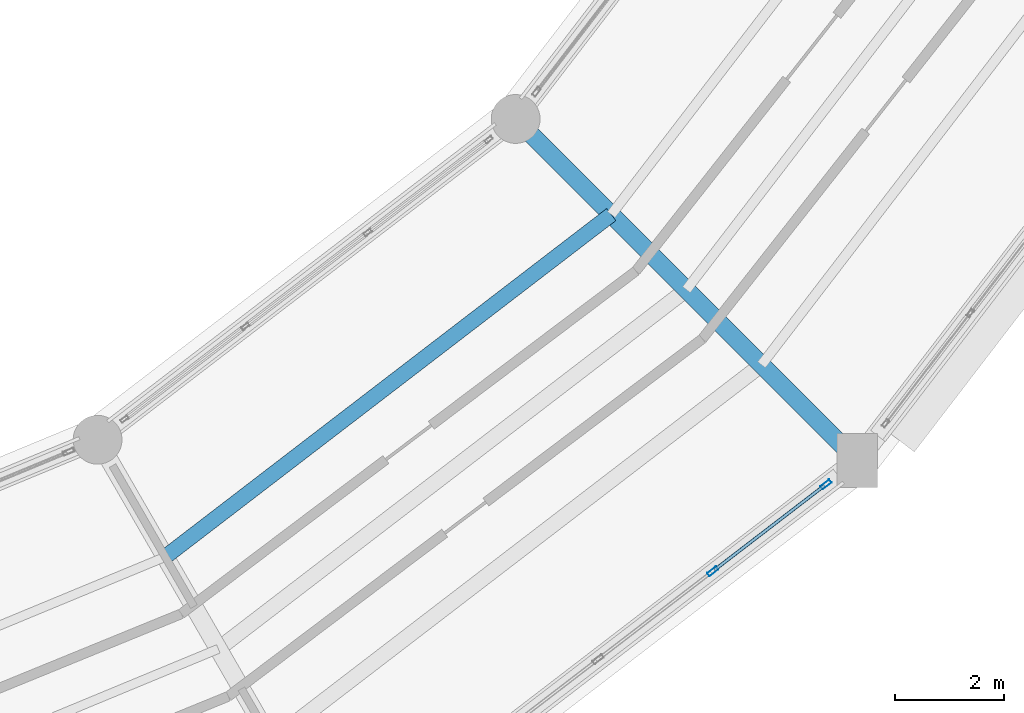
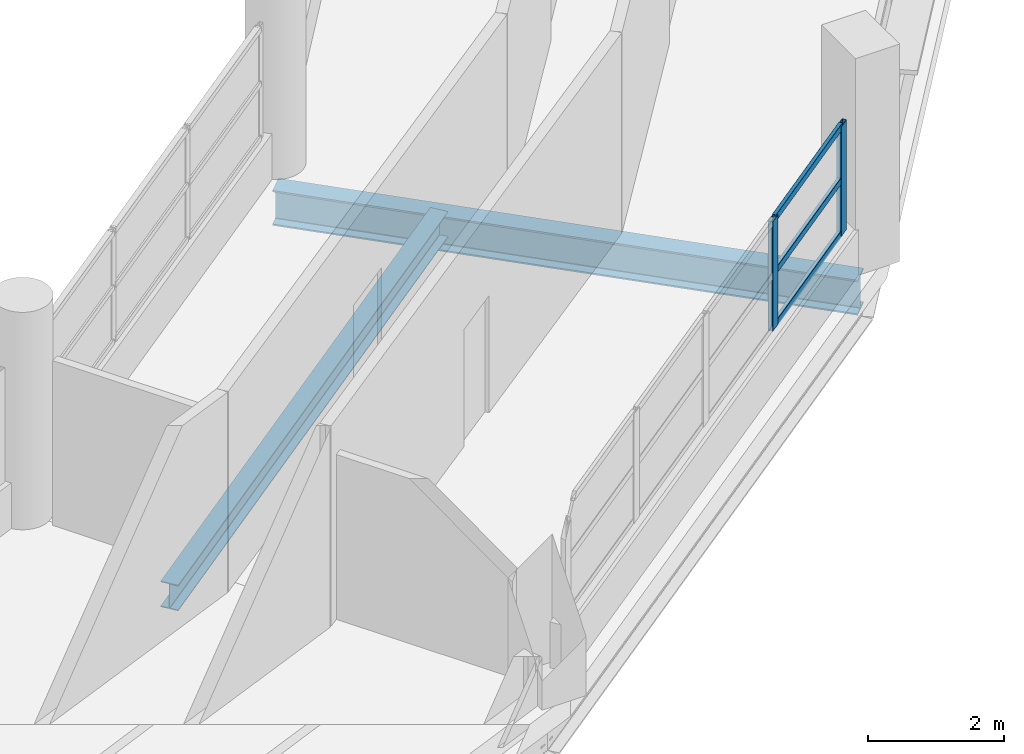
# One storey, part 46 of 108: 5 members, 2 beams, 1 element without a shape of its own.
"""IFC4 building model written with IfcOpenShell, lengths in metres."""

from ifc_helpers import new_model, si_unit, direction, frame, origin, origin_2d, place, context, subcontext, project, spatial, hollow_rectangle, i_section, extrude, material, layer, layer_set, material_profile, profile_set, type_object, element, aggregate, save


model = new_model("IFC4")

# Units and contexts
model_context = context("Model", 3, precision=1e-05, world=origin(), true_north=direction((0.0, 1.0)))
body_context = subcontext(model_context, "Body", "Model", "MODEL_VIEW")
ifc_project = project(units=[si_unit("LENGTHUNIT", "METRE"), si_unit("AREAUNIT", "SQUARE_METRE"), si_unit("VOLUMEUNIT", "CUBIC_METRE"), si_unit("PLANEANGLEUNIT", "RADIAN"), si_unit("MASSUNIT", "GRAM", prefix="KILO")], contexts=[model_context])

# Site, building, storey
site_placement = place(None, origin())
site = spatial("IfcSite", under=ifc_project, at=site_placement, CompositionType="ELEMENT")
building_placement = place(site_placement, origin())
building = spatial("IfcBuilding", under=site, at=building_placement, Name="Vespera Passage Community Centre", CompositionType="ELEMENT")
storey_placement = place(building_placement, frame((0.0, 0.0, 12.60009765625)))
storey = spatial("IfcBuildingStorey", under=building, at=storey_placement, Name="L03", CompositionType="ELEMENT", Elevation=12.60009765625)

# Beams
ifc_material_1 = material(Name="Steel ASTM A992 Grade 50", Category="steel")
ifc_material_profile_1 = material_profile(ifc_material_1, i_section(OverallWidth=0.32763671875, OverallDepth=0.62841796875, WebThickness=0.0166015625, FlangeThickness=0.027587890625, FilletRadius=0.0126953125, at=origin_2d()), Name="W24X146")
ifc_profile_set_1 = profile_set([ifc_material_profile_1], Name="Steel ASTM A992 Grade 50")
beam_type_1 = type_object("IfcBeamType", Name="BM-G-W24X146", PredefinedType="BEAM", material=ifc_profile_set_1)
beam_1_placement = place(storey_placement, frame((104.304443359375, 39.195556640625, -0.71435546875), z_axis=(0.707106781187, -0.707106781187, 0.0), x_axis=(0.707106781187, 0.707106781187, 0.0)))
element("IfcBeam", 1, at=beam_1_placement, inside=storey, type_object=beam_type_1, Name="V4 L03 Radial Girder 21", PredefinedType="BEAM", context=body_context, shape_type="SweptSolid", body=[
    extrude(i_section(OverallWidth=0.32763671875, OverallDepth=0.62841796875, WebThickness=0.0166015625, FlangeThickness=0.027587890625, FilletRadius=0.0126953125, at=origin_2d()), origin(), (0.0, 0.0, 1.0), 8.89990234375),
])
ifc_material_2 = material(Name="Steel ASTM A992 Grade 50", Category="steel")
ifc_material_profile_2 = material_profile(ifc_material_2, i_section(OverallWidth=0.280517578125, OverallDepth=0.46240234375, WebThickness=0.0107421875, FlangeThickness=0.017333984375, FilletRadius=0.01025390625, at=origin_2d()), Name="W18X76")
ifc_profile_set_2 = profile_set([ifc_material_profile_2], Name="Steel ASTM A992 Grade 50")
beam_type_2 = type_object("IfcBeamType", Name="BM-J-W18X76", PredefinedType="JOIST", material=ifc_profile_set_2)
beam_2_placement = place(storey_placement, frame((97.845947265625, 31.125732421875, -0.63134765625), z_axis=(0.793349551049, 0.608766367214, 0.0), x_axis=(-0.608766367214, 0.793349551049, 0.0)))
element("IfcBeam", 2, at=beam_2_placement, inside=storey, type_object=beam_type_2, Name="V4 L03 Floor Joist 20.1", PredefinedType="JOIST", context=body_context, shape_type="SweptSolid", body=[
    extrude(i_section(OverallWidth=0.280517578125, OverallDepth=0.46240234375, WebThickness=0.0107421875, FlangeThickness=0.017333984375, FilletRadius=0.01025390625, at=origin_2d()), origin(), (0.0, 0.0, 1.0), 10.36181640625),
])

# Curtain wall, members
ifc_material_3 = material(Name="Anodized aluminium 6063-T6", Category="aluminium")
ifc_layer = layer(ifc_material_3, 0.159912109375)
ifc_layer_set = layer_set([ifc_layer], Name="Anodized aluminium 6063-T6")
curtain_wall_type = type_object("IfcCurtainWallType", Name="CW-51E", PredefinedType="NOTDEFINED", material=ifc_layer_set)
curtain_wall_placement = place(storey_placement, origin())
curtain_wall = element("IfcCurtainWall", 3, at=curtain_wall_placement, inside=storey, type_object=curtain_wall_type, Name="V4 L03 Outer Ribbon Curtain Wall 20", PredefinedType="NOTDEFINED")
ifc_material_4 = material(Name="Anodized aluminium 6063-T6", Category="aluminium")
ifc_material_profile_3 = material_profile(ifc_material_4, hollow_rectangle(XDim=0.074951171875, YDim=0.2099609375, WallThickness=0.0048828125, InnerFilletRadius=0.00244140625, OuterFilletRadius=0.0048828125, at=origin_2d()), Name="ALU210X75X5")
ifc_profile_set_3 = profile_set([ifc_material_profile_3], Name="Anodized aluminium 6063-T6")
member_type_1 = type_object("IfcMemberType", Name="MB-CWM-210E", PredefinedType="MULLION", material=ifc_profile_set_3)
member_1_placement = place(storey_placement, frame((110.022216796875, 32.4609375, 0.81982421875), z_axis=(0.0, 0.0, 1.0), x_axis=(0.608771824991, -0.793345363065, 0.0)))
member_1 = element("IfcMember", 4, at=member_1_placement, type_object=member_type_1, Name="CW-51E mullion 1", PredefinedType="MULLION", context=body_context, shape_type="SweptSolid", body=[
    extrude(hollow_rectangle(XDim=0.074951171875, YDim=0.2099609375, WallThickness=0.0048828125, InnerFilletRadius=0.00244140625, OuterFilletRadius=0.0048828125, at=origin_2d()), origin(), (0.0, 0.0, 1.0), 1.965576171875),
])
member_2_placement = place(storey_placement, frame((107.93798828125, 30.861572265625, 0.81982421875), z_axis=(0.0, 0.0, 1.0), x_axis=(0.608771824991, -0.793345363065, 0.0)))
member_2 = element("IfcMember", 5, at=member_2_placement, type_object=member_type_1, Name="CW-51E mullion 2", PredefinedType="MULLION", context=body_context, shape_type="SweptSolid", body=[
    extrude(hollow_rectangle(XDim=0.074951171875, YDim=0.2099609375, WallThickness=0.0048828125, InnerFilletRadius=0.00244140625, OuterFilletRadius=0.0048828125, at=origin_2d()), origin(), (0.0, 0.0, 1.0), 1.965576171875),
])
ifc_material_5 = material(Name="Anodized aluminium 6063-T6", Category="aluminium")
ifc_material_profile_4 = material_profile(ifc_material_5, hollow_rectangle(XDim=0.06005859375, YDim=0.1201171875, WallThickness=0.00390625, InnerFilletRadius=0.001953125, OuterFilletRadius=0.00390625, at=origin_2d()), Name="ALU120X60X4")
ifc_profile_set_4 = profile_set([ifc_material_profile_4], Name="Anodized aluminium 6063-T6")
member_type_2 = type_object("IfcMemberType", Name="MB-CWT-120E", PredefinedType="USERDEFINED", material=ifc_profile_set_4)
member_3_placement = place(storey_placement, frame((109.992431640625, 32.438232421875, 0.849853515625), z_axis=(-0.793316846463, -0.608808985741, 0.0), x_axis=(0.608808985741, -0.793316846463, 0.0)))
member_3 = element("IfcMember", 6, at=member_3_placement, type_object=member_type_2, Name="CW-51E transom 1.1", ObjectType="TRANSOM", PredefinedType="USERDEFINED", context=body_context, shape_type="SweptSolid", body=[
    extrude(hollow_rectangle(XDim=0.06005859375, YDim=0.1201171875, WallThickness=0.00390625, InnerFilletRadius=0.001953125, OuterFilletRadius=0.00390625, at=origin_2d()), origin(), (0.0, 0.0, 1.0), 2.552490234375),
])
member_4_placement = place(storey_placement, frame((109.992431640625, 32.438232421875, 1.802734375), z_axis=(-0.793316846463, -0.608808985741, 0.0), x_axis=(0.608808985741, -0.793316846463, 0.0)))
member_4 = element("IfcMember", 7, at=member_4_placement, type_object=member_type_2, Name="CW-51E transom 1.2", ObjectType="TRANSOM", PredefinedType="USERDEFINED", context=body_context, shape_type="SweptSolid", body=[
    extrude(hollow_rectangle(XDim=0.06005859375, YDim=0.1201171875, WallThickness=0.00390625, InnerFilletRadius=0.001953125, OuterFilletRadius=0.00390625, at=origin_2d()), origin(), (0.0, 0.0, 1.0), 2.552490234375),
])
member_5_placement = place(storey_placement, frame((109.992431640625, 32.438232421875, 2.755615234375), z_axis=(-0.793316846463, -0.608808985741, 0.0), x_axis=(0.608808985741, -0.793316846463, 0.0)))
member_5 = element("IfcMember", 8, at=member_5_placement, type_object=member_type_2, Name="CW-51E transom 1.3", ObjectType="TRANSOM", PredefinedType="USERDEFINED", context=body_context, shape_type="SweptSolid", body=[
    extrude(hollow_rectangle(XDim=0.06005859375, YDim=0.1201171875, WallThickness=0.00390625, InnerFilletRadius=0.001953125, OuterFilletRadius=0.00390625, at=origin_2d()), origin(), (0.0, 0.0, 1.0), 2.552490234375),
])
aggregate(curtain_wall, [member_1, member_2, member_3, member_4, member_5])

save(model, "model.ifc")
